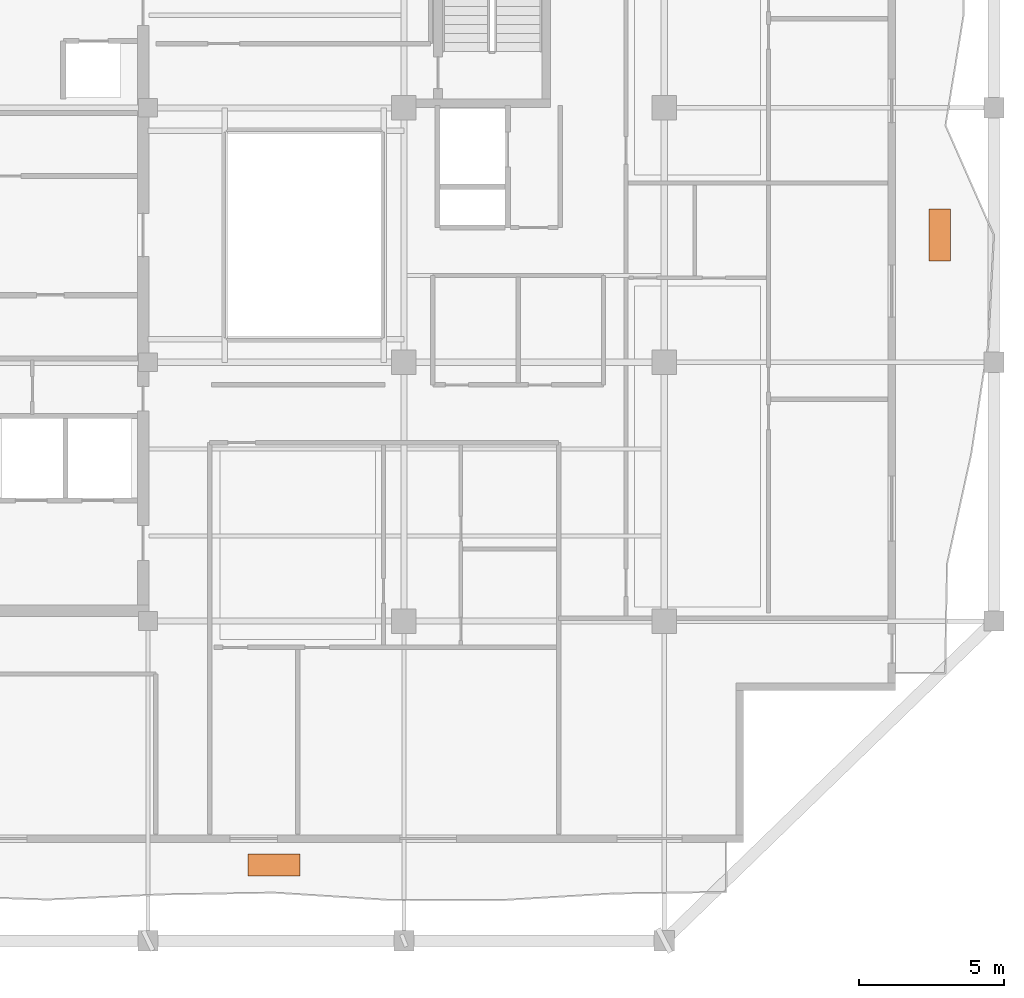
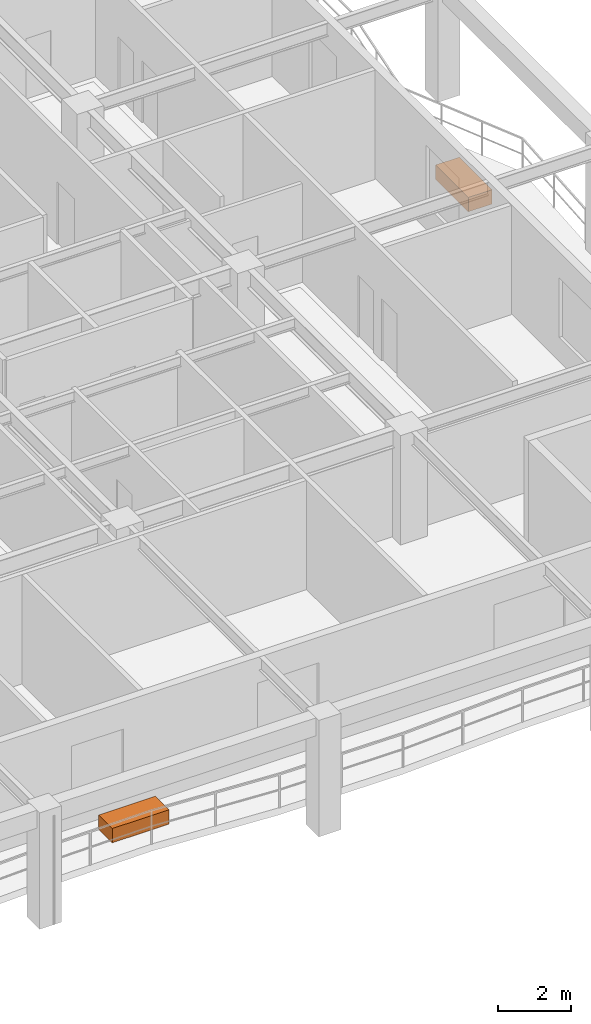
# One storey, part 12 of 12: 2 proxies.
"""IFC4 building model written with IfcOpenShell, lengths in metres."""

from ifc_helpers import new_model, si_unit, direction, frame, origin, origin_2d, place, context, subcontext, project, spatial, rectangle, extrude, material, type_object, element, save


model = new_model("IFC4")

# Units and contexts
model_context = context("Model", 3, precision=1e-05, world=origin(), true_north=direction((0.0, 1.0)))
body_context = subcontext(model_context, "Body", "Model", "MODEL_VIEW")
ifc_project = project(units=[si_unit("LENGTHUNIT", "METRE"), si_unit("AREAUNIT", "SQUARE_METRE"), si_unit("VOLUMEUNIT", "CUBIC_METRE"), si_unit("PLANEANGLEUNIT", "RADIAN"), si_unit("MASSUNIT", "GRAM", prefix="KILO")], contexts=[model_context])

# Site, building, storey
site_placement = place(None, origin())
site = spatial("IfcSite", under=ifc_project, at=site_placement, CompositionType="ELEMENT")
building_placement = place(site_placement, origin())
building = spatial("IfcBuilding", under=site, at=building_placement, Name="Kundavana Baori Tower", CompositionType="ELEMENT")
storey_placement = place(building_placement, frame((0.0, 0.0, 241.39990234375)))
storey = spatial("IfcBuildingStorey", under=building, at=storey_placement, Name="L59", CompositionType="ELEMENT", Elevation=241.39990234375)

# Proxies
ifc_material = material(Name="Red-Buff Dholpur Sandstone Cladding on Concrete C40/50", Category="masonry")
building_element_proxy_type = type_object("IfcBuildingElementProxyType", Name="PRX-PLANTER-1800", PredefinedType="USERDEFINED", material=ifc_material)
for number, where, z_axis, x_axis, name in (
    (1, (29.300048828125, 6.81396484375, 0.0), (0.0, 0.0, 1.0), (1.0, 0.0, 0.0), "L59 Dholpur Stone Structural Tree Planter S"),
    (2, (52.330078125, 28.60009765625, 0.0), (0.0, 0.0, 1.0), (0.0, 1.0, 0.0), "L59 Dholpur Stone Structural Tree Planter E"),
):
    element("IfcBuildingElementProxy", number, at=place(storey_placement, frame(where, z_axis=z_axis, x_axis=x_axis)), inside=storey, type_object=building_element_proxy_type, Name=name, ObjectType="PLANTER", PredefinedType="USERDEFINED", context=body_context, shape_type="SweptSolid", body=[
        extrude(rectangle(XDim=1.800048828125, YDim=0.75, at=origin_2d()), origin(), (0.0, 0.0, 1.0), 0.47998046875),
    ])

save(model, "model.ifc")
